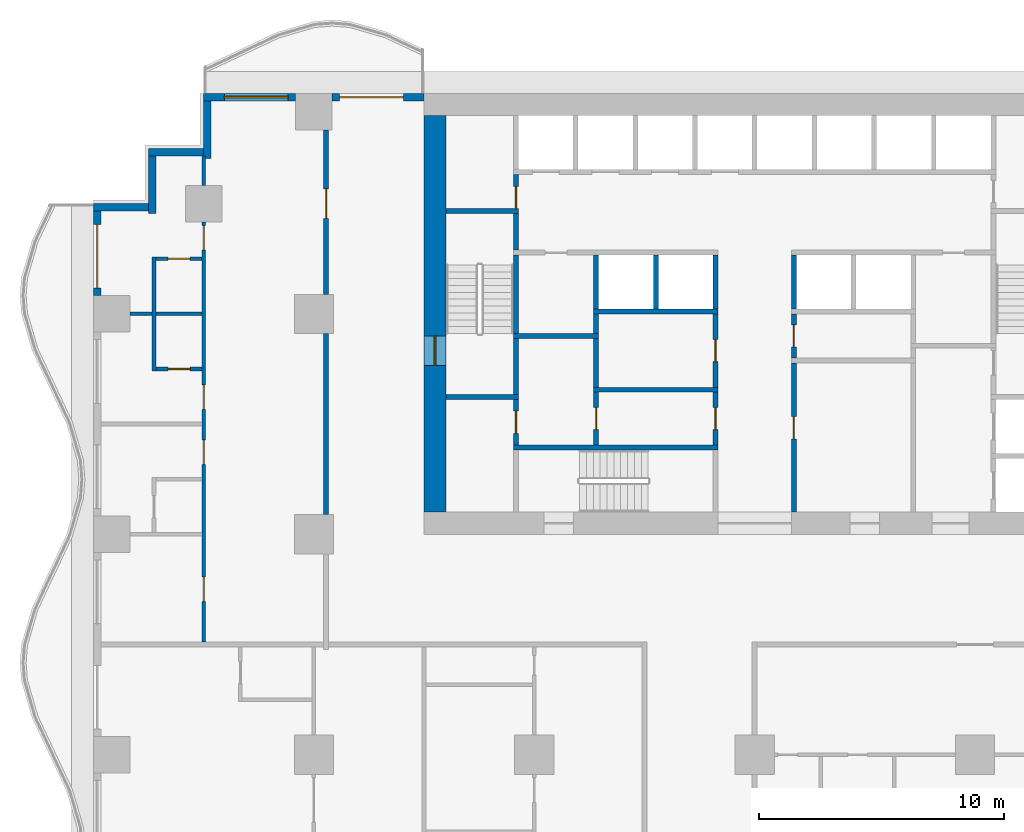
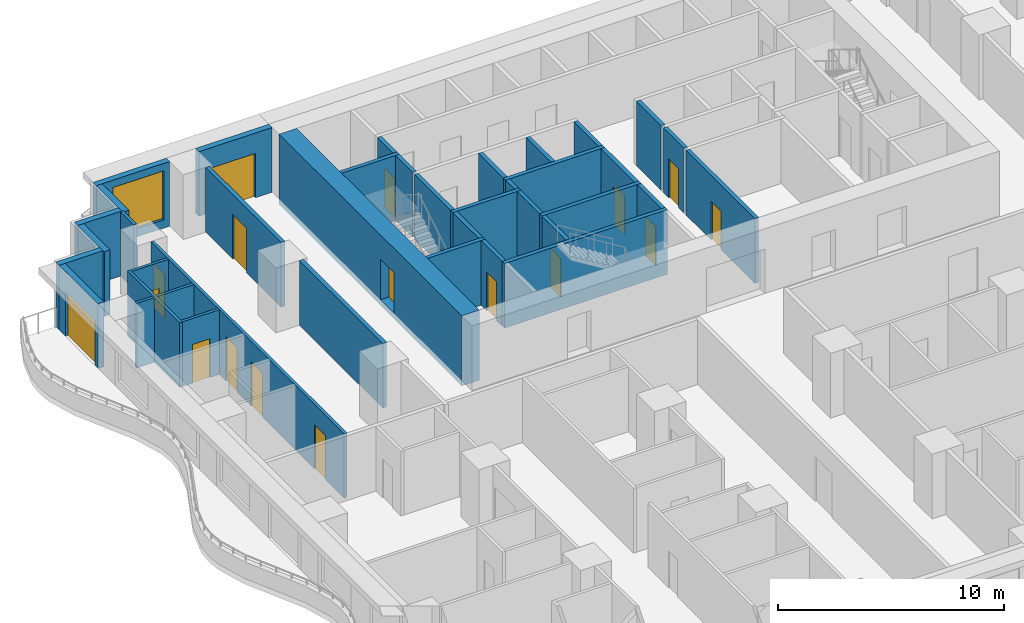
# One storey, part 5 of 14: 39 walls, 17 doors, 1 window, 18 openings.
"""IFC4 building model written with IfcOpenShell, lengths in metres."""

from ifc_helpers import new_model, si_unit, direction, frame, frame_2d, origin, place, context, subcontext, project, spatial, rectangle, extrude, material, layer, layer_set, type_object, element, fill, save


model = new_model("IFC4")

# Units and contexts
model_context = context("Model", 3, precision=1e-05, world=origin(), true_north=direction((0.0, 1.0)))
body_context = subcontext(model_context, "Body", "Model", "MODEL_VIEW")
ifc_project = project(units=[si_unit("LENGTHUNIT", "METRE"), si_unit("AREAUNIT", "SQUARE_METRE"), si_unit("VOLUMEUNIT", "CUBIC_METRE"), si_unit("PLANEANGLEUNIT", "RADIAN"), si_unit("MASSUNIT", "GRAM", prefix="KILO")], contexts=[model_context])

# Site, building, storey
site_placement = place(None, origin())
site = spatial("IfcSite", under=ifc_project, at=site_placement, CompositionType="ELEMENT")
building_placement = place(site_placement, origin())
building = spatial("IfcBuilding", under=site, at=building_placement, Name="Orbiselva Terraces", CompositionType="ELEMENT")
storey_placement = place(building_placement, frame((0.0, 0.0, 15.0)))
storey = spatial("IfcBuildingStorey", under=building, at=storey_placement, Name="L03", CompositionType="ELEMENT", Elevation=15.0)

# Wall, opening, door
ifc_material_1 = material(Name="Concrete C80/95", Category="concrete")
ifc_layer_1 = layer(ifc_material_1, 0.9)
ifc_layer_set_1 = layer_set([ifc_layer_1], Name="Concrete C80/95")
wall_type_1 = type_object("IfcWallType", Name="CORE WALL 900", PredefinedType="SHEAR", material=ifc_layer_set_1)
wall_1_placement = place(storey_placement, frame((-13.05, 21.6, -0.3), z_axis=(0.0, 0.0, 1.0), x_axis=(0.0, -1.0, 0.0)))
wall_1 = element("IfcWall", 1, at=wall_1_placement, inside=storey, type_object=wall_type_1, Name="Core wall L03 west", PredefinedType="SHEAR", context=body_context, shape_type="SweptSolid", body=[
    extrude(rectangle(XDim=16.2, YDim=0.9, at=frame_2d((8.1, 0.0))), origin(), (0.0, 0.0, 1.0), 3.8),
])
opening_1_placement = place(wall_1_placement, frame((9.0, 0.0, 0.3)))
opening_1 = element("IfcOpeningElement", 2, at=opening_1_placement, cuts=wall_1, Name="Opening DS1200", PredefinedType="OPENING", context=body_context, shape_type="SweptSolid", body=[
    extrude(rectangle(XDim=1.2, YDim=2.2, at=frame_2d((0.6, 1.1))), frame((0.0, 0.46, 0.0), z_axis=(0.0, -1.0, 0.0), x_axis=(1.0, 0.0, 0.0)), (0.0, 0.0, 1.0), 0.92),
])
ifc_material_2 = material(Name="Steel fire door", Category="steel")
door_type_1 = type_object("IfcDoorType", Name="STAIR DOOR 1200", OperationType="NOTDEFINED", PredefinedType="DOOR", material=ifc_material_2)
door_1_placement = place(opening_1_placement, frame((1.2, 0.0, 0.0), z_axis=(0.0, 0.0, 1.0), x_axis=(-1.0, 0.0, 0.0)))
door_1 = element("IfcDoor", 3, at=door_1_placement, inside=storey, type_object=door_type_1, Name="L03 EXIT STAIR S1 door", OperationType="SINGLE_SWING_RIGHT", OverallHeight=2.2, OverallWidth=1.2, PredefinedType="DOOR", context=body_context, shape_type="SweptSolid", body=[
    extrude(rectangle(XDim=1.2, YDim=2.2, at=frame_2d((0.6, 1.1))), frame((0.0, 0.025, 0.0), z_axis=(0.0, -1.0, 0.0), x_axis=(1.0, 0.0, 0.0)), (0.0, 0.0, 1.0), 0.05),
])
fill(opening_1, door_1)

ifc_material_3 = material(Name="Masonry blockwork", Category="masonry")
ifc_layer_2 = layer(ifc_material_3, 0.2)
ifc_layer_set_2 = layer_set([ifc_layer_2], Name="Masonry blockwork")
wall_type_2 = type_object("IfcWallType", Name="CORE-WALL-PARTITION-200", PredefinedType="PARTITIONING", material=ifc_layer_set_2)
wall_2_placement = place(storey_placement, frame((-9.75, 8.15, 0.0), z_axis=(0.0, 0.0, 1.0), x_axis=(0.0, 1.0, 0.0)))
wall_2 = element("IfcWall", 4, at=wall_2_placement, inside=storey, type_object=wall_type_2, Name="L03 core wall 05", PredefinedType="PARTITIONING", context=body_context, shape_type="SweptSolid", body=[
    extrude(rectangle(XDim=1.85, YDim=0.2, at=frame_2d((0.925, 0.0))), origin(), (0.0, 0.0, 1.0), 3.5),
])
opening_2_placement = place(wall_2_placement, frame((0.475, 0.0, 0.0)))
opening_2 = element("IfcOpeningElement", 5, at=opening_2_placement, cuts=wall_2, Name="Opening DR900", PredefinedType="OPENING", context=body_context, shape_type="SweptSolid", body=[
    extrude(rectangle(XDim=0.9, YDim=2.1, at=frame_2d((0.45, 1.05))), frame((0.0, 0.11, 0.0), z_axis=(0.0, -1.0, 0.0), x_axis=(1.0, 0.0, 0.0)), (0.0, 0.0, 1.0), 0.22),
])
door_type_2 = type_object("IfcDoorType", Name="ROOM DOOR 900", OperationType="NOTDEFINED", PredefinedType="DOOR", material=ifc_material_2)
door_2_placement = place(opening_2_placement, origin())
door_2 = element("IfcDoor", 6, at=door_2_placement, inside=storey, type_object=door_type_2, Name="L03 CLEANERS STORE door", OperationType="SINGLE_SWING_RIGHT", OverallHeight=2.1, OverallWidth=0.9, PredefinedType="DOOR", context=body_context, shape_type="SweptSolid", body=[
    extrude(rectangle(XDim=0.9, YDim=2.1, at=frame_2d((0.45, 1.05))), frame((0.0, 0.025, 0.0), z_axis=(0.0, -1.0, 0.0), x_axis=(1.0, 0.0, 0.0)), (0.0, 0.0, 1.0), 0.05),
])
fill(opening_2, door_2)

wall_3_placement = place(storey_placement, frame((-9.75, 17.8, 0.0), z_axis=(0.0, 0.0, 1.0), x_axis=(0.0, 1.0, 0.0)))
wall_3 = element("IfcWall", 7, at=wall_3_placement, inside=storey, type_object=wall_type_2, Name="L03 core wall 11", PredefinedType="PARTITIONING", context=body_context, shape_type="SweptSolid", body=[
    extrude(rectangle(XDim=1.4, YDim=0.2, at=frame_2d((0.7, 0.0))), origin(), (0.0, 0.0, 1.0), 3.5),
])
opening_3_placement = place(wall_3_placement, origin())
opening_3 = element("IfcOpeningElement", 8, at=opening_3_placement, cuts=wall_3, Name="Opening DR900", PredefinedType="OPENING", context=body_context, shape_type="SweptSolid", body=[
    extrude(rectangle(XDim=0.9, YDim=2.1, at=frame_2d((0.45, 1.05))), frame((0.0, 0.11, 0.0), z_axis=(0.0, -1.0, 0.0), x_axis=(1.0, 0.0, 0.0)), (0.0, 0.0, 1.0), 0.22),
])
door_3_placement = place(opening_3_placement, origin())
door_3 = element("IfcDoor", 9, at=door_3_placement, inside=storey, type_object=door_type_2, Name="L03 ELECTRICAL RISER ROOM door", OperationType="SINGLE_SWING_LEFT", OverallHeight=2.1, OverallWidth=0.9, PredefinedType="DOOR", context=body_context, shape_type="SweptSolid", body=[
    extrude(rectangle(XDim=0.9, YDim=2.1, at=frame_2d((0.45, 1.05))), frame((0.0, 0.025, 0.0), z_axis=(0.0, -1.0, 0.0), x_axis=(1.0, 0.0, 0.0)), (0.0, 0.0, 1.0), 0.05),
])
fill(opening_3, door_3)

wall_4_placement = place(storey_placement, frame((-6.475, 8.15, 0.0), z_axis=(0.0, 0.0, 1.0), x_axis=(0.0, 1.0, 0.0)))
wall_4 = element("IfcWall", 10, at=wall_4_placement, inside=storey, type_object=wall_type_2, Name="L03 core wall 15", PredefinedType="PARTITIONING", context=body_context, shape_type="SweptSolid", body=[
    extrude(rectangle(XDim=2.15, YDim=0.2, at=frame_2d((1.075, 0.0))), origin(), (0.0, 0.0, 1.0), 3.5),
])
opening_4_placement = place(wall_4_placement, frame((0.625, 0.0, 0.0)))
opening_4 = element("IfcOpeningElement", 11, at=opening_4_placement, cuts=wall_4, Name="Opening DR900", PredefinedType="OPENING", context=body_context, shape_type="SweptSolid", body=[
    extrude(rectangle(XDim=0.9, YDim=2.1, at=frame_2d((0.45, 1.05))), frame((0.0, 0.11, 0.0), z_axis=(0.0, -1.0, 0.0), x_axis=(1.0, 0.0, 0.0)), (0.0, 0.0, 1.0), 0.22),
])
door_4_placement = place(opening_4_placement, origin())
door_4 = element("IfcDoor", 12, at=door_4_placement, inside=storey, type_object=door_type_2, Name="L03 STAFF ROOM door", OperationType="SINGLE_SWING_LEFT", OverallHeight=2.1, OverallWidth=0.9, PredefinedType="DOOR", context=body_context, shape_type="SweptSolid", body=[
    extrude(rectangle(XDim=0.9, YDim=2.1, at=frame_2d((0.45, 1.05))), frame((0.0, 0.025, 0.0), z_axis=(0.0, -1.0, 0.0), x_axis=(1.0, 0.0, 0.0)), (0.0, 0.0, 1.0), 0.05),
])
fill(opening_4, door_4)

# Walls
wall_5_placement = place(storey_placement, frame((-6.475, 10.5, 0.0), z_axis=(0.0, 0.0, 1.0), x_axis=(0.0, 1.0, 0.0)))
element("IfcWall", 13, at=wall_5_placement, inside=storey, type_object=wall_type_2, Name="L03 core wall 17", PredefinedType="PARTITIONING", context=body_context, shape_type="SweptSolid", body=[
    extrude(rectangle(XDim=2.0, YDim=0.2, at=frame_2d((1.0, 0.0))), origin(), (0.0, 0.0, 1.0), 3.5),
])
wall_6_placement = place(storey_placement, frame((-6.475, 12.7, 0.0), z_axis=(0.0, 0.0, 1.0), x_axis=(0.0, 1.0, 0.0)))
element("IfcWall", 14, at=wall_6_placement, inside=storey, type_object=wall_type_2, Name="L03 core wall 18", PredefinedType="PARTITIONING", context=body_context, shape_type="SweptSolid", body=[
    extrude(rectangle(XDim=0.8, YDim=0.2, at=frame_2d((0.4, 0.0))), origin(), (0.0, 0.0, 1.0), 3.5),
])

# Wall, opening, door
wall_7_placement = place(storey_placement, frame((-1.6, 8.15, 0.0), z_axis=(0.0, 0.0, 1.0), x_axis=(0.0, 1.0, 0.0)))
wall_7 = element("IfcWall", 15, at=wall_7_placement, inside=storey, type_object=wall_type_2, Name="L03 core wall 25", PredefinedType="PARTITIONING", context=body_context, shape_type="SweptSolid", body=[
    extrude(rectangle(XDim=2.15, YDim=0.2, at=frame_2d((1.075, 0.0))), origin(), (0.0, 0.0, 1.0), 3.5),
])
opening_5_placement = place(wall_7_placement, frame((0.625, 0.0, 0.0)))
opening_5 = element("IfcOpeningElement", 16, at=opening_5_placement, cuts=wall_7, Name="Opening DR900", PredefinedType="OPENING", context=body_context, shape_type="SweptSolid", body=[
    extrude(rectangle(XDim=0.9, YDim=2.1, at=frame_2d((0.45, 1.05))), frame((0.0, 0.11, 0.0), z_axis=(0.0, -1.0, 0.0), x_axis=(1.0, 0.0, 0.0)), (0.0, 0.0, 1.0), 0.22),
])
door_5_placement = place(opening_5_placement, origin())
door_5 = element("IfcDoor", 17, at=door_5_placement, inside=storey, type_object=door_type_2, Name="L03 SERVICE PANTRY door", OperationType="SINGLE_SWING_LEFT", OverallHeight=2.1, OverallWidth=0.9, PredefinedType="DOOR", context=body_context, shape_type="SweptSolid", body=[
    extrude(rectangle(XDim=0.9, YDim=2.1, at=frame_2d((0.45, 1.05))), frame((0.0, 0.025, 0.0), z_axis=(0.0, -1.0, 0.0), x_axis=(1.0, 0.0, 0.0)), (0.0, 0.0, 1.0), 0.05),
])
fill(opening_5, door_5)

wall_8_placement = place(storey_placement, frame((-1.6, 10.5, 0.0), z_axis=(0.0, 0.0, 1.0), x_axis=(0.0, 1.0, 0.0)))
wall_8 = element("IfcWall", 18, at=wall_8_placement, inside=storey, type_object=wall_type_2, Name="L03 core wall 26", PredefinedType="PARTITIONING", context=body_context, shape_type="SweptSolid", body=[
    extrude(rectangle(XDim=3.0, YDim=0.2, at=frame_2d((1.5, 0.0))), origin(), (0.0, 0.0, 1.0), 3.5),
])
opening_6_placement = place(wall_8_placement, frame((1.05, 0.0, 0.0)))
opening_6 = element("IfcOpeningElement", 19, at=opening_6_placement, cuts=wall_8, Name="Opening DR900", PredefinedType="OPENING", context=body_context, shape_type="SweptSolid", body=[
    extrude(rectangle(XDim=0.9, YDim=2.1, at=frame_2d((0.45, 1.05))), frame((0.0, 0.11, 0.0), z_axis=(0.0, -1.0, 0.0), x_axis=(1.0, 0.0, 0.0)), (0.0, 0.0, 1.0), 0.22),
])
door_6_placement = place(opening_6_placement, origin())
door_6 = element("IfcDoor", 20, at=door_6_placement, inside=storey, type_object=door_type_2, Name="L03 LINEN STORE door", OperationType="SINGLE_SWING_RIGHT", OverallHeight=2.1, OverallWidth=0.9, PredefinedType="DOOR", context=body_context, shape_type="SweptSolid", body=[
    extrude(rectangle(XDim=0.9, YDim=2.1, at=frame_2d((0.45, 1.05))), frame((0.0, 0.025, 0.0), z_axis=(0.0, -1.0, 0.0), x_axis=(1.0, 0.0, 0.0)), (0.0, 0.0, 1.0), 0.05),
])
fill(opening_6, door_6)

wall_9_placement = place(storey_placement, frame((1.6, 13.5, 0.0), z_axis=(0.0, 0.0, 1.0), x_axis=(0.0, -1.0, 0.0)))
wall_9 = element("IfcWall", 21, at=wall_9_placement, inside=storey, type_object=wall_type_2, Name="L03 core wall 31", PredefinedType="PARTITIONING", context=body_context, shape_type="SweptSolid", body=[
    extrude(rectangle(XDim=1.8, YDim=0.2, at=frame_2d((0.9, 0.0))), origin(), (0.0, 0.0, 1.0), 3.5),
])
opening_7_placement = place(wall_9_placement, frame((0.45, 0.0, 0.0)))
opening_7 = element("IfcOpeningElement", 22, at=opening_7_placement, cuts=wall_9, Name="Opening DR900", PredefinedType="OPENING", context=body_context, shape_type="SweptSolid", body=[
    extrude(rectangle(XDim=0.9, YDim=2.1, at=frame_2d((0.45, 1.05))), frame((0.0, 0.11, 0.0), z_axis=(0.0, -1.0, 0.0), x_axis=(1.0, 0.0, 0.0)), (0.0, 0.0, 1.0), 0.22),
])
door_7_placement = place(opening_7_placement, origin())
door_7 = element("IfcDoor", 23, at=door_7_placement, inside=storey, type_object=door_type_2, Name="L03 IT ROOM door", OperationType="SINGLE_SWING_LEFT", OverallHeight=2.1, OverallWidth=0.9, PredefinedType="DOOR", context=body_context, shape_type="SweptSolid", body=[
    extrude(rectangle(XDim=0.9, YDim=2.1, at=frame_2d((0.45, 1.05))), frame((0.0, 0.025, 0.0), z_axis=(0.0, -1.0, 0.0), x_axis=(1.0, 0.0, 0.0)), (0.0, 0.0, 1.0), 0.05),
])
fill(opening_7, door_7)

# Walls
ifc_material_4 = material(Name="Concrete C40/50", Category="concrete")
ifc_layer_3 = layer(ifc_material_4, 0.2)
ifc_layer_set_3 = layer_set([ifc_layer_3], Name="Concrete C40/50")
wall_type_3 = type_object("IfcWallType", Name="CORE-WALL-SHAFT-200", PredefinedType="PARTITIONING", material=ifc_layer_set_3)
for number, where, z_axis, x_axis, name in (
    (24, (-6.475, 13.7, 0.0), (0.0, 0.0, 1.0), (0.0, 1.0, 0.0), "L03 core wall 20"),
    (25, (-4.0375, 13.7, 0.0), (0.0, 0.0, 1.0), (0.0, 1.0, 0.0), "L03 core wall 22"),
    (26, (-1.6, 13.7, 0.0), (0.0, 0.0, 1.0), (0.0, 1.0, 0.0), "L03 core wall 27"),
    (27, (1.6, 13.7, 0.0), (0.0, 0.0, 1.0), (0.0, 1.0, 0.0), "L03 core wall 33"),
):
    element("IfcWall", number, at=place(storey_placement, frame(where, z_axis=z_axis, x_axis=x_axis)), inside=storey, type_object=wall_type_3, Name=name, PredefinedType="PARTITIONING", context=body_context, shape_type="SweptSolid", body=[
        extrude(rectangle(XDim=2.2, YDim=0.2, at=frame_2d((1.1, 0.0))), origin(), (0.0, 0.0, 1.0), 3.5),
    ])
ifc_material_5 = material(Name="Concrete C60/75", Category="concrete")
ifc_layer_4 = layer(ifc_material_5, 0.2)
ifc_layer_set_4 = layer_set([ifc_layer_4], Name="Concrete C60/75")
wall_type_4 = type_object("IfcWallType", Name="CORE-WALL-SHEAR-200", PredefinedType="SHEAR", material=ifc_layer_set_4)
for number, where, z_axis, x_axis, name in (
    (28, (-12.6, 10.1, 0.0), (0.0, 0.0, 1.0), (1.0, 0.0, 0.0), "L03 core wall 01"),
    (29, (-12.6, 17.7, 0.0), (0.0, 0.0, 1.0), (1.0, 0.0, 0.0), "L03 core wall 02"),
):
    element("IfcWall", number, at=place(storey_placement, frame(where, z_axis=z_axis, x_axis=x_axis)), inside=storey, type_object=wall_type_4, Name=name, PredefinedType="SHEAR", context=body_context, shape_type="SweptSolid", body=[
        extrude(rectangle(XDim=2.95, YDim=0.2, at=frame_2d((1.475, 0.0))), origin(), (0.0, 0.0, 1.0), 3.5),
    ])
wall_10_placement = place(storey_placement, frame((-9.85, 8.05, 0.0), z_axis=(0.0, 0.0, 1.0), x_axis=(1.0, 0.0, 0.0)))
element("IfcWall", 30, at=wall_10_placement, inside=storey, type_object=wall_type_4, Name="L03 core wall 04", PredefinedType="SHEAR", context=body_context, shape_type="SweptSolid", body=[
    extrude(rectangle(XDim=8.35, YDim=0.2, at=frame_2d((4.175, 0.0))), origin(), (0.0, 0.0, 1.0), 3.5),
])
wall_11_placement = place(storey_placement, frame((-9.75, 10.2, 0.0), z_axis=(0.0, 0.0, 1.0), x_axis=(0.0, 1.0, 0.0)))
element("IfcWall", 31, at=wall_11_placement, inside=storey, type_object=wall_type_4, Name="L03 core wall 06", PredefinedType="SHEAR", context=body_context, shape_type="SweptSolid", body=[
    extrude(rectangle(XDim=2.3, YDim=0.2, at=frame_2d((1.15, 0.0))), origin(), (0.0, 0.0, 1.0), 3.5),
])
wall_12_placement = place(storey_placement, frame((-9.85, 12.6, 0.0), z_axis=(0.0, 0.0, 1.0), x_axis=(1.0, 0.0, 0.0)))
element("IfcWall", 32, at=wall_12_placement, inside=storey, type_object=wall_type_4, Name="L03 core wall 07", PredefinedType="SHEAR", context=body_context, shape_type="SweptSolid", body=[
    extrude(rectangle(XDim=3.475, YDim=0.2, at=frame_2d((1.7375, 0.0))), origin(), (0.0, 0.0, 1.0), 3.5),
])
wall_13_placement = place(storey_placement, frame((-9.75, 12.7, 0.0), z_axis=(0.0, 0.0, 1.0), x_axis=(0.0, 1.0, 0.0)))
element("IfcWall", 33, at=wall_13_placement, inside=storey, type_object=wall_type_4, Name="L03 core wall 08", PredefinedType="SHEAR", context=body_context, shape_type="SweptSolid", body=[
    extrude(rectangle(XDim=3.2, YDim=0.2, at=frame_2d((1.6, 0.0))), origin(), (0.0, 0.0, 1.0), 3.5),
])
wall_14_placement = place(storey_placement, frame((-9.75, 16.1, 0.0), z_axis=(0.0, 0.0, 1.0), x_axis=(0.0, 1.0, 0.0)))
element("IfcWall", 34, at=wall_14_placement, inside=storey, type_object=wall_type_4, Name="L03 core wall 10", PredefinedType="SHEAR", context=body_context, shape_type="SweptSolid", body=[
    extrude(rectangle(XDim=1.5, YDim=0.2, at=frame_2d((0.75, 0.0))), origin(), (0.0, 0.0, 1.0), 3.5),
])
for number, where, z_axis, x_axis, name in (
    (35, (-6.575, 10.4, 0.0), (0.0, 0.0, 1.0), (1.0, 0.0, 0.0), "L03 core wall 16"),
    (36, (-6.575, 13.6, 0.0), (0.0, 0.0, 1.0), (1.0, 0.0, 0.0), "L03 core wall 19"),
):
    element("IfcWall", number, at=place(storey_placement, frame(where, z_axis=z_axis, x_axis=x_axis)), inside=storey, type_object=wall_type_4, Name=name, PredefinedType="SHEAR", context=body_context, shape_type="SweptSolid", body=[
        extrude(rectangle(XDim=5.075, YDim=0.2, at=frame_2d((2.5375, 0.0))), origin(), (0.0, 0.0, 1.0), 3.5),
    ])

# Wall, opening, door
wall_15_placement = place(storey_placement, frame((1.6, 11.5, 0.0), z_axis=(0.0, 0.0, 1.0), x_axis=(0.0, -1.0, 0.0)))
wall_15 = element("IfcWall", 37, at=wall_15_placement, inside=storey, type_object=wall_type_4, Name="L03 core wall 29", PredefinedType="SHEAR", context=body_context, shape_type="SweptSolid", body=[
    extrude(rectangle(XDim=6.1, YDim=0.2, at=frame_2d((3.05, 0.0))), origin(), (0.0, 0.0, 1.0), 3.5),
])
opening_8_placement = place(wall_15_placement, frame((2.2, 0.0, 0.0)))
opening_8 = element("IfcOpeningElement", 38, at=opening_8_placement, cuts=wall_15, Name="Opening DR900", PredefinedType="OPENING", context=body_context, shape_type="SweptSolid", body=[
    extrude(rectangle(XDim=0.9, YDim=2.1, at=frame_2d((0.45, 1.05))), frame((0.0, 0.11, 0.0), z_axis=(0.0, -1.0, 0.0), x_axis=(1.0, 0.0, 0.0)), (0.0, 0.0, 1.0), 0.22),
])
door_8_placement = place(opening_8_placement, origin())
door_8 = element("IfcDoor", 39, at=door_8_placement, inside=storey, type_object=door_type_2, Name="L03 SERVICE ROOM door", OperationType="SINGLE_SWING_LEFT", OverallHeight=2.1, OverallWidth=0.9, PredefinedType="DOOR", context=body_context, shape_type="SweptSolid", body=[
    extrude(rectangle(XDim=0.9, YDim=2.1, at=frame_2d((0.45, 1.05))), frame((0.0, 0.025, 0.0), z_axis=(0.0, -1.0, 0.0), x_axis=(1.0, 0.0, 0.0)), (0.0, 0.0, 1.0), 0.05),
])
fill(opening_8, door_8)

ifc_material_6 = material(Name="Terracotta cladding on masonry backing", Category="masonry")
ifc_layer_5 = layer(ifc_material_6, 0.3)
ifc_layer_set_5 = layer_set([ifc_layer_5], Name="Terracotta cladding on masonry backing")
wall_type_5 = type_object("IfcWallType", Name="ENV-WALL-TERRACOTTA-300", PredefinedType="SOLIDWALL", material=ifc_layer_set_5)
wall_16_placement = place(storey_placement, frame((-17.25, 22.35, 0.0), z_axis=(0.0, 0.0, 1.0), x_axis=(1.0, 0.0, 0.0)))
wall_16 = element("IfcWall", 40, at=wall_16_placement, inside=storey, type_object=wall_type_5, Name="Facade wall L03 NW", PredefinedType="SOLIDWALL", context=body_context, shape_type="SweptSolid", body=[
    extrude(rectangle(XDim=3.75, YDim=0.3, at=frame_2d((1.875, 0.0))), origin(), (0.0, 0.0, 1.0), 3.5),
])
opening_9_placement = place(wall_16_placement, frame((0.3, 0.0, 0.0)))
opening_9 = element("IfcOpeningElement", 41, at=opening_9_placement, cuts=wall_16, Name="Opening Z1-A-E08", PredefinedType="OPENING", context=body_context, shape_type="SweptSolid", body=[
    extrude(rectangle(XDim=2.6, YDim=2.4, at=frame_2d((1.3, 1.2))), frame((0.0, 0.16, 0.0), z_axis=(0.0, -1.0, 0.0), x_axis=(1.0, 0.0, 0.0)), (0.0, 0.0, 1.0), 0.32),
])
ifc_material_7 = material(Name="Clear low-e glazing in aluminium frame", Category="aluminium")
door_type_3 = type_object("IfcDoorType", Name="BALCONY DOOR 2600 X 2400", OperationType="DOUBLE_DOOR_SLIDING", PredefinedType="DOOR", material=ifc_material_7)
door_9_placement = place(opening_9_placement, origin())
door_9 = element("IfcDoor", 42, at=door_9_placement, inside=storey, type_object=door_type_3, Name="Z1-A-E08", OperationType="SINGLE_SWING_LEFT", OverallHeight=2.4, OverallWidth=2.6, PredefinedType="DOOR", context=body_context, shape_type="SweptSolid", body=[
    extrude(rectangle(XDim=2.6, YDim=2.4, at=frame_2d((1.3, 1.2))), frame((0.0, 0.025, 0.0), z_axis=(0.0, -1.0, 0.0), x_axis=(1.0, 0.0, 0.0)), (0.0, 0.0, 1.0), 0.05),
])
fill(opening_9, door_9)

# Wall, opening, window
wall_17_placement = place(storey_placement, frame((-22.5, 22.35, 0.0), z_axis=(0.0, 0.0, 1.0), x_axis=(1.0, 0.0, 0.0)))
wall_17 = element("IfcWall", 43, at=wall_17_placement, inside=storey, type_object=wall_type_5, Name="Facade wall L03 NW", PredefinedType="SOLIDWALL", context=body_context, shape_type="SweptSolid", body=[
    extrude(rectangle(XDim=3.75, YDim=0.3, at=frame_2d((1.875, 0.0))), origin(), (0.0, 0.0, 1.0), 3.5),
])
opening_10_placement = place(wall_17_placement, frame((0.85, 0.0, 0.45)))
opening_10 = element("IfcOpeningElement", 44, at=opening_10_placement, cuts=wall_17, Name="Opening WN1", PredefinedType="OPENING", context=body_context, shape_type="SweptSolid", body=[
    extrude(rectangle(XDim=2.6, YDim=2.65, at=frame_2d((1.3, 1.325))), frame((0.0, 0.16, 0.0), z_axis=(0.0, -1.0, 0.0), x_axis=(1.0, 0.0, 0.0)), (0.0, 0.0, 1.0), 0.32),
])
window_type = type_object("IfcWindowType", Name="WINDOW 2600 X 2650 S450", PartitioningType="TRIPLE_PANEL_VERTICAL", PredefinedType="WINDOW", material=ifc_material_7)
window_placement = place(opening_10_placement, origin())
window = element("IfcWindow", 45, at=window_placement, inside=storey, type_object=window_type, Name="Window L03 NW", OverallHeight=2.65, OverallWidth=2.6, PartitioningType="SINGLE_PANEL", PredefinedType="WINDOW", context=body_context, shape_type="SweptSolid", body=[
    extrude(rectangle(XDim=2.6, YDim=2.65, at=frame_2d((1.3, 1.325))), frame((0.0, 0.03, 0.0), z_axis=(0.0, -1.0, 0.0), x_axis=(1.0, 0.0, 0.0)), (0.0, 0.0, 1.0), 0.06),
])
fill(opening_10, window)

# Walls
wall_18_placement = place(storey_placement, frame((-22.35, 19.85, 0.0), z_axis=(0.0, 0.0, 1.0), x_axis=(0.0, 1.0, 0.0)))
element("IfcWall", 46, at=wall_18_placement, inside=storey, type_object=wall_type_5, Name="Facade wall L03 STEP", PredefinedType="SOLIDWALL", context=body_context, shape_type="SweptSolid", body=[
    extrude(rectangle(XDim=2.35, YDim=0.3, at=frame_2d((1.175, 0.0))), origin(), (0.0, 0.0, 1.0), 3.5),
])
wall_19_placement = place(storey_placement, frame((-24.75, 20.1, 0.0), z_axis=(0.0, 0.0, 1.0), x_axis=(1.0, 0.0, 0.0)))
element("IfcWall", 47, at=wall_19_placement, inside=storey, type_object=wall_type_5, Name="Facade wall L03 STEP", PredefinedType="SOLIDWALL", context=body_context, shape_type="SweptSolid", body=[
    extrude(rectangle(XDim=2.25, YDim=0.3, at=frame_2d((1.125, 0.0))), origin(), (0.0, 0.0, 1.0), 3.5),
])
wall_20_placement = place(storey_placement, frame((-24.6, 17.6, 0.0), z_axis=(0.0, 0.0, 1.0), x_axis=(0.0, 1.0, 0.0)))
element("IfcWall", 48, at=wall_20_placement, inside=storey, type_object=wall_type_5, Name="Facade wall L03 STEP", PredefinedType="SOLIDWALL", context=body_context, shape_type="SweptSolid", body=[
    extrude(rectangle(XDim=2.35, YDim=0.3, at=frame_2d((1.175, 0.0))), origin(), (0.0, 0.0, 1.0), 3.5),
])
wall_21_placement = place(storey_placement, frame((-27.0, 17.85, 0.0), z_axis=(0.0, 0.0, 1.0), x_axis=(1.0, 0.0, 0.0)))
element("IfcWall", 49, at=wall_21_placement, inside=storey, type_object=wall_type_5, Name="Facade wall L03 STEP", PredefinedType="SOLIDWALL", context=body_context, shape_type="SweptSolid", body=[
    extrude(rectangle(XDim=2.25, YDim=0.3, at=frame_2d((1.125, 0.0))), origin(), (0.0, 0.0, 1.0), 3.5),
])

# Wall, opening, door
wall_22_placement = place(storey_placement, frame((-26.85, 14.25, 0.0), z_axis=(0.0, 0.0, 1.0), x_axis=(0.0, 1.0, 0.0)))
wall_22 = element("IfcWall", 50, at=wall_22_placement, inside=storey, type_object=wall_type_5, Name="Facade wall L03 W", PredefinedType="SOLIDWALL", context=body_context, shape_type="SweptSolid", body=[
    extrude(rectangle(XDim=3.45, YDim=0.3, at=frame_2d((1.725, 0.0))), origin(), (0.0, 0.0, 1.0), 3.5),
])
opening_11_placement = place(wall_22_placement, frame((0.3, 0.0, 0.0)))
opening_11 = element("IfcOpeningElement", 51, at=opening_11_placement, cuts=wall_22, Name="Opening Z1-A-E09", PredefinedType="OPENING", context=body_context, shape_type="SweptSolid", body=[
    extrude(rectangle(XDim=2.6, YDim=2.4, at=frame_2d((1.3, 1.2))), frame((0.0, 0.16, 0.0), z_axis=(0.0, -1.0, 0.0), x_axis=(1.0, 0.0, 0.0)), (0.0, 0.0, 1.0), 0.32),
])
door_10_placement = place(opening_11_placement, origin())
door_10 = element("IfcDoor", 52, at=door_10_placement, inside=storey, type_object=door_type_3, Name="Z1-A-E09", OperationType="SINGLE_SWING_LEFT", OverallHeight=2.4, OverallWidth=2.6, PredefinedType="DOOR", context=body_context, shape_type="SweptSolid", body=[
    extrude(rectangle(XDim=2.6, YDim=2.4, at=frame_2d((1.3, 1.2))), frame((0.0, 0.025, 0.0), z_axis=(0.0, -1.0, 0.0), x_axis=(1.0, 0.0, 0.0)), (0.0, 0.0, 1.0), 0.05),
])
fill(opening_11, door_10)

# Wall
ifc_material_8 = material(Name="Plasterboard on steel stud partition", Category="steel")
ifc_layer_6 = layer(ifc_material_8, 0.2)
ifc_layer_set_6 = layer_set([ifc_layer_6], Name="Plasterboard on steel stud partition")
wall_type_6 = type_object("IfcWallType", Name="UNIT-ENTRANCE-WALL-200", PredefinedType="PARTITIONING", material=ifc_layer_set_6)
wall_23_placement = place(storey_placement, frame((-17.5, 5.3, 0.0), z_axis=(0.0, 0.0, 1.0), x_axis=(0.0, 1.0, 0.0)))
element("IfcWall", 53, at=wall_23_placement, inside=storey, type_object=wall_type_6, Name="PARTITION L03-058", PredefinedType="PARTITIONING", context=body_context, shape_type="SweptSolid", body=[
    extrude(rectangle(XDim=7.4, YDim=0.2, at=frame_2d((3.7, 0.0))), origin(), (0.0, 0.0, 1.0), 3.5),
])

# Wall, opening, door
wall_24_placement = place(storey_placement, frame((-17.5, 14.3, 0.0), z_axis=(0.0, 0.0, 1.0), x_axis=(0.0, 1.0, 0.0)))
wall_24 = element("IfcWall", 54, at=wall_24_placement, inside=storey, type_object=wall_type_6, Name="PARTITION L03-059", PredefinedType="PARTITIONING", context=body_context, shape_type="SweptSolid", body=[
    extrude(rectangle(XDim=6.7, YDim=0.2, at=frame_2d((3.35, 0.0))), origin(), (0.0, 0.0, 1.0), 3.5),
])
opening_12_placement = place(wall_24_placement, frame((3.1, 0.0, 0.0)))
opening_12 = element("IfcOpeningElement", 55, at=opening_12_placement, cuts=wall_24, Name="Opening Z1-A-01", PredefinedType="OPENING", context=body_context, shape_type="SweptSolid", body=[
    extrude(rectangle(XDim=1.2, YDim=2.4, at=frame_2d((0.6, 1.2))), frame((0.0, 0.11, 0.0), z_axis=(0.0, -1.0, 0.0), x_axis=(1.0, 0.0, 0.0)), (0.0, 0.0, 1.0), 0.22),
])
ifc_material_9 = material(Name="Painted timber door leaf", Category="wood")
door_type_4 = type_object("IfcDoorType", Name="ENTRANCE DOOR 1200", OperationType="NOTDEFINED", PredefinedType="DOOR", material=ifc_material_9)
door_11_placement = place(opening_12_placement, origin())
door_11 = element("IfcDoor", 56, at=door_11_placement, inside=storey, type_object=door_type_4, Name="Z1-A-01", OperationType="SINGLE_SWING_RIGHT", OverallHeight=2.4, OverallWidth=1.2, PredefinedType="DOOR", context=body_context, shape_type="SweptSolid", body=[
    extrude(rectangle(XDim=1.2, YDim=2.4, at=frame_2d((0.6, 1.2))), frame((0.0, 0.025, 0.0), z_axis=(0.0, -1.0, 0.0), x_axis=(1.0, 0.0, 0.0)), (0.0, 0.0, 1.0), 0.05),
])
fill(opening_12, door_11)

ifc_layer_7 = layer(ifc_material_8, 0.15)
ifc_layer_set_7 = layer_set([ifc_layer_7], Name="Plasterboard on steel stud partition")
wall_type_7 = type_object("IfcWallType", Name="UNIT-PARTITION-150", PredefinedType="PARTITIONING", material=ifc_layer_set_7)
wall_25_placement = place(storey_placement, frame((-24.45, 11.25, 0.0), z_axis=(0.0, 0.0, 1.0), x_axis=(1.0, 0.0, 0.0)))
wall_25 = element("IfcWall", 57, at=wall_25_placement, inside=storey, type_object=wall_type_7, Name="PARTITION L03-039", PredefinedType="PARTITIONING", context=body_context, shape_type="SweptSolid", body=[
    extrude(rectangle(XDim=1.875, YDim=0.15, at=frame_2d((0.9375, 0.0))), origin(), (0.0, 0.0, 1.0), 3.5),
])
opening_13_placement = place(wall_25_placement, frame((0.5, 0.0, 0.0)))
opening_13 = element("IfcOpeningElement", 58, at=opening_13_placement, cuts=wall_25, Name="Opening Z1-A-06", PredefinedType="OPENING", context=body_context, shape_type="SweptSolid", body=[
    extrude(rectangle(XDim=0.9, YDim=2.1, at=frame_2d((0.45, 1.05))), frame((0.0, 0.085, 0.0), z_axis=(0.0, -1.0, 0.0), x_axis=(1.0, 0.0, 0.0)), (0.0, 0.0, 1.0), 0.17),
])
door_type_5 = type_object("IfcDoorType", Name="BATH DOOR 900", OperationType="NOTDEFINED", PredefinedType="DOOR", material=ifc_material_9)
door_12_placement = place(opening_13_placement, origin())
door_12 = element("IfcDoor", 59, at=door_12_placement, inside=storey, type_object=door_type_5, Name="Z1-A-06", OperationType="SINGLE_SWING_RIGHT", OverallHeight=2.1, OverallWidth=0.9, PredefinedType="DOOR", context=body_context, shape_type="SweptSolid", body=[
    extrude(rectangle(XDim=0.9, YDim=2.1, at=frame_2d((0.45, 1.05))), frame((0.0, 0.025, 0.0), z_axis=(0.0, -1.0, 0.0), x_axis=(1.0, 0.0, 0.0)), (0.0, 0.0, 1.0), 0.05),
])
fill(opening_13, door_12)

# Walls
wall_26_placement = place(storey_placement, frame((-25.5, 13.5, 0.0), z_axis=(0.0, 0.0, 1.0), x_axis=(1.0, 0.0, 0.0)))
element("IfcWall", 60, at=wall_26_placement, inside=storey, type_object=wall_type_7, Name="PARTITION L03-041", PredefinedType="PARTITIONING", context=body_context, shape_type="SweptSolid", body=[
    extrude(rectangle(XDim=0.9, YDim=0.15, at=frame_2d((0.45, 0.0))), origin(), (0.0, 0.0, 1.0), 3.5),
])
wall_27_placement = place(storey_placement, frame((-24.45, 13.5, 0.0), z_axis=(0.0, 0.0, 1.0), x_axis=(1.0, 0.0, 0.0)))
element("IfcWall", 61, at=wall_27_placement, inside=storey, type_object=wall_type_7, Name="PARTITION L03-042", PredefinedType="PARTITIONING", context=body_context, shape_type="SweptSolid", body=[
    extrude(rectangle(XDim=1.875, YDim=0.15, at=frame_2d((0.9375, 0.0))), origin(), (0.0, 0.0, 1.0), 3.5),
])

# Wall, opening, door
wall_28_placement = place(storey_placement, frame((-22.575, 15.75, 0.0), z_axis=(0.0, 0.0, 1.0), x_axis=(-1.0, 0.0, 0.0)))
wall_28 = element("IfcWall", 62, at=wall_28_placement, inside=storey, type_object=wall_type_7, Name="PARTITION L03-045", PredefinedType="PARTITIONING", context=body_context, shape_type="SweptSolid", body=[
    extrude(rectangle(XDim=1.875, YDim=0.15, at=frame_2d((0.9375, 0.0))), origin(), (0.0, 0.0, 1.0), 3.5),
])
opening_14_placement = place(wall_28_placement, frame((0.475, 0.0, 0.0)))
opening_14 = element("IfcOpeningElement", 63, at=opening_14_placement, cuts=wall_28, Name="Opening Z1-A-08", PredefinedType="OPENING", context=body_context, shape_type="SweptSolid", body=[
    extrude(rectangle(XDim=0.9, YDim=2.1, at=frame_2d((0.45, 1.05))), frame((0.0, 0.085, 0.0), z_axis=(0.0, -1.0, 0.0), x_axis=(1.0, 0.0, 0.0)), (0.0, 0.0, 1.0), 0.17),
])
door_13_placement = place(opening_14_placement, origin())
door_13 = element("IfcDoor", 64, at=door_13_placement, inside=storey, type_object=door_type_5, Name="Z1-A-08", OperationType="SINGLE_SWING_LEFT", OverallHeight=2.1, OverallWidth=0.9, PredefinedType="DOOR", context=body_context, shape_type="SweptSolid", body=[
    extrude(rectangle(XDim=0.9, YDim=2.1, at=frame_2d((0.45, 1.05))), frame((0.0, 0.025, 0.0), z_axis=(0.0, -1.0, 0.0), x_axis=(1.0, 0.0, 0.0)), (0.0, 0.0, 1.0), 0.05),
])
fill(opening_14, door_13)

# Wall
wall_29_placement = place(storey_placement, frame((-24.525, 11.175, 0.0), z_axis=(0.0, 0.0, 1.0), x_axis=(0.0, 1.0, 0.0)))
element("IfcWall", 65, at=wall_29_placement, inside=storey, type_object=wall_type_7, Name="PARTITION L03-048", PredefinedType="PARTITIONING", context=body_context, shape_type="SweptSolid", body=[
    extrude(rectangle(XDim=4.65, YDim=0.15, at=frame_2d((2.325, 0.0))), origin(), (0.0, 0.0, 1.0), 3.5),
])

# Wall, openings, doors
wall_30_placement = place(storey_placement, frame((-22.5, 0.1, 0.0), z_axis=(0.0, 0.0, 1.0), x_axis=(0.0, 1.0, 0.0)))
wall_30 = element("IfcWall", 66, at=wall_30_placement, inside=storey, type_object=wall_type_7, Name="PARTITION L03-049", PredefinedType="PARTITIONING", context=body_context, shape_type="SweptSolid", body=[
    extrude(rectangle(XDim=17.15, YDim=0.15, at=frame_2d((8.575, 0.0))), origin(), (0.0, 0.0, 1.0), 3.5),
])
opening_15_placement = place(wall_30_placement, frame((1.65, 0.0, 0.0)))
opening_15 = element("IfcOpeningElement", 67, at=opening_15_placement, cuts=wall_30, Name="Opening Z1-A-02", PredefinedType="OPENING", context=body_context, shape_type="SweptSolid", body=[
    extrude(rectangle(XDim=1.0, YDim=2.4, at=frame_2d((0.5, 1.2))), frame((0.0, 0.085, 0.0), z_axis=(0.0, -1.0, 0.0), x_axis=(1.0, 0.0, 0.0)), (0.0, 0.0, 1.0), 0.17),
])
opening_16_placement = place(wall_30_placement, frame((7.25, 0.0, 0.0)))
opening_16 = element("IfcOpeningElement", 68, at=opening_16_placement, cuts=wall_30, Name="Opening Z1-A-03", PredefinedType="OPENING", context=body_context, shape_type="SweptSolid", body=[
    extrude(rectangle(XDim=1.0, YDim=2.4, at=frame_2d((0.5, 1.2))), frame((0.0, 0.085, 0.0), z_axis=(0.0, -1.0, 0.0), x_axis=(1.0, 0.0, 0.0)), (0.0, 0.0, 1.0), 0.17),
])
opening_17_placement = place(wall_30_placement, frame((9.5, 0.0, 0.0)))
opening_17 = element("IfcOpeningElement", 69, at=opening_17_placement, cuts=wall_30, Name="Opening Z1-A-05", PredefinedType="OPENING", context=body_context, shape_type="SweptSolid", body=[
    extrude(rectangle(XDim=1.0, YDim=2.4, at=frame_2d((0.5, 1.2))), frame((0.0, 0.085, 0.0), z_axis=(0.0, -1.0, 0.0), x_axis=(1.0, 0.0, 0.0)), (0.0, 0.0, 1.0), 0.17),
])
opening_18_placement = place(wall_30_placement, frame((16.0, 0.0, 0.0)))
opening_18 = element("IfcOpeningElement", 70, at=opening_18_placement, cuts=wall_30, Name="Opening Z1-A-07", PredefinedType="OPENING", context=body_context, shape_type="SweptSolid", body=[
    extrude(rectangle(XDim=1.0, YDim=2.4, at=frame_2d((0.5, 1.2))), frame((0.0, 0.085, 0.0), z_axis=(0.0, -1.0, 0.0), x_axis=(1.0, 0.0, 0.0)), (0.0, 0.0, 1.0), 0.17),
])
door_type_6 = type_object("IfcDoorType", Name="ROOM DOOR 1000", OperationType="NOTDEFINED", PredefinedType="DOOR", material=ifc_material_9)
door_14_placement = place(opening_15_placement, origin())
door_14 = element("IfcDoor", 71, at=door_14_placement, inside=storey, type_object=door_type_6, Name="Z1-A-02", OperationType="SINGLE_SWING_LEFT", OverallHeight=2.4, OverallWidth=1.0, PredefinedType="DOOR", context=body_context, shape_type="SweptSolid", body=[
    extrude(rectangle(XDim=1.0, YDim=2.4, at=frame_2d((0.5, 1.2))), frame((0.0, 0.025, 0.0), z_axis=(0.0, -1.0, 0.0), x_axis=(1.0, 0.0, 0.0)), (0.0, 0.0, 1.0), 0.05),
])
fill(opening_15, door_14)
door_15_placement = place(opening_16_placement, origin())
door_15 = element("IfcDoor", 72, at=door_15_placement, inside=storey, type_object=door_type_6, Name="Z1-A-03", OperationType="SINGLE_SWING_LEFT", OverallHeight=2.4, OverallWidth=1.0, PredefinedType="DOOR", context=body_context, shape_type="SweptSolid", body=[
    extrude(rectangle(XDim=1.0, YDim=2.4, at=frame_2d((0.5, 1.2))), frame((0.0, 0.025, 0.0), z_axis=(0.0, -1.0, 0.0), x_axis=(1.0, 0.0, 0.0)), (0.0, 0.0, 1.0), 0.05),
])
fill(opening_16, door_15)
door_16_placement = place(opening_17_placement, origin())
door_16 = element("IfcDoor", 73, at=door_16_placement, inside=storey, type_object=door_type_6, Name="Z1-A-05", OperationType="SINGLE_SWING_RIGHT", OverallHeight=2.4, OverallWidth=1.0, PredefinedType="DOOR", context=body_context, shape_type="SweptSolid", body=[
    extrude(rectangle(XDim=1.0, YDim=2.4, at=frame_2d((0.5, 1.2))), frame((0.0, 0.025, 0.0), z_axis=(0.0, -1.0, 0.0), x_axis=(1.0, 0.0, 0.0)), (0.0, 0.0, 1.0), 0.05),
])
fill(opening_17, door_16)
door_17_placement = place(opening_18_placement, origin())
door_17 = element("IfcDoor", 74, at=door_17_placement, inside=storey, type_object=door_type_6, Name="Z1-A-07", OperationType="SINGLE_SWING_RIGHT", OverallHeight=2.4, OverallWidth=1.0, PredefinedType="DOOR", context=body_context, shape_type="SweptSolid", body=[
    extrude(rectangle(XDim=1.0, YDim=2.4, at=frame_2d((0.5, 1.2))), frame((0.0, 0.025, 0.0), z_axis=(0.0, -1.0, 0.0), x_axis=(1.0, 0.0, 0.0)), (0.0, 0.0, 1.0), 0.05),
])
fill(opening_18, door_17)

# Wall
wall_31_placement = place(storey_placement, frame((-22.5, 18.75, 0.0), z_axis=(0.0, 0.0, 1.0), x_axis=(0.0, 1.0, 0.0)))
element("IfcWall", 75, at=wall_31_placement, inside=storey, type_object=wall_type_7, Name="PARTITION L03-050", PredefinedType="PARTITIONING", context=body_context, shape_type="SweptSolid", body=[
    extrude(rectangle(XDim=1.2, YDim=0.15, at=frame_2d((0.6, 0.0))), origin(), (0.0, 0.0, 1.0), 3.5),
])

save(model, "model.ifc")
